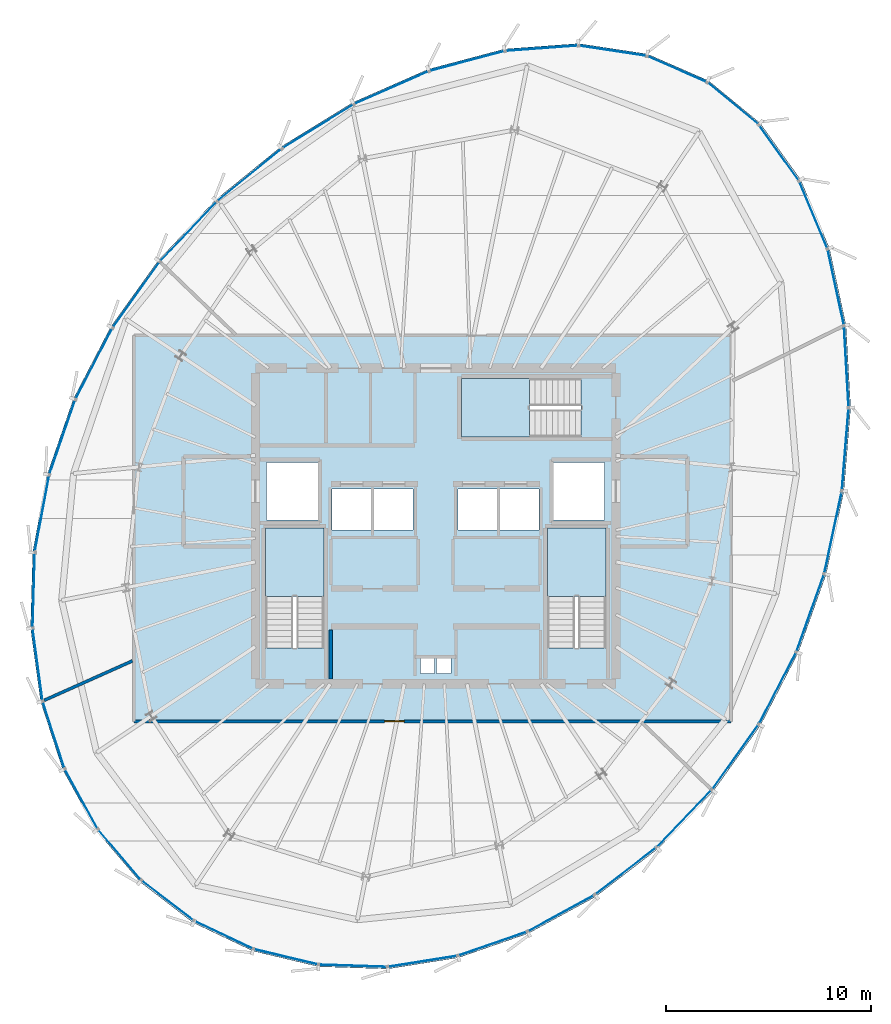
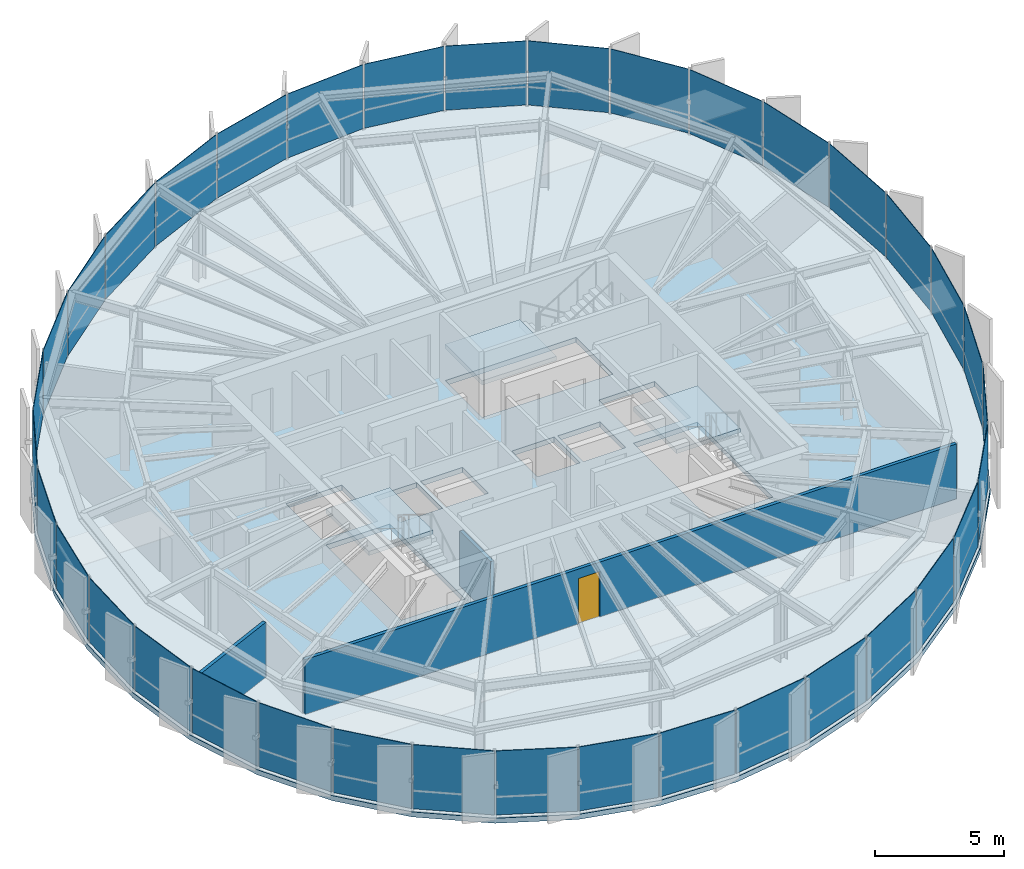
# One storey, part 24 of 31: 36 plates, 4 slabs, 3 walls, 1 door, 1 opening, 9 elements without a shape of their own.
"""IFC4 building model written with IfcOpenShell, lengths in metres."""

from ifc_helpers import new_model, si_unit, direction, frame, frame_2d, origin, origin_2d, place, context, subcontext, project, spatial, polyline, rectangle, outline, extrude, source, transform, mapped, material, layer, layer_set, type_object, element, fill, aggregate, save


model = new_model("IFC4")

# Units and contexts
model_context = context("Model", 3, precision=1e-05, world=origin(), true_north=direction((0.0, 1.0)))
body_context = subcontext(model_context, "Body", "Model", "MODEL_VIEW")
ifc_project = project(units=[si_unit("LENGTHUNIT", "METRE"), si_unit("AREAUNIT", "SQUARE_METRE"), si_unit("VOLUMEUNIT", "CUBIC_METRE"), si_unit("PLANEANGLEUNIT", "RADIAN"), si_unit("MASSUNIT", "GRAM", prefix="KILO"), si_unit("THERMODYNAMICTEMPERATUREUNIT", "KELVIN")], contexts=[model_context])

# Site, building, storey
site_placement = place(None, origin())
site = spatial("IfcSite", under=ifc_project, at=site_placement, CompositionType="ELEMENT")
building_placement = place(site_placement, origin())
building = spatial("IfcBuilding", under=site, at=building_placement, Name="Kethvar Cultural Tower", CompositionType="ELEMENT")
storey_placement = place(building_placement, frame((0.0, 0.0, 269.800048828125)))
storey = spatial("IfcBuildingStorey", under=building, at=storey_placement, Name="L71", CompositionType="ELEMENT", Elevation=269.800048828125)

# Stair, slab
ifc_material_1 = material(Name="Concrete C40/50", Category="concrete")
stair_type = type_object("IfcStairType", Name="ST-DOGLEG-135", PredefinedType="HALF_TURN_STAIR", material=ifc_material_1)
stair_1_placement = place(storey_placement, origin())
stair_1 = element("IfcStair", 1, at=stair_1_placement, inside=storey, type_object=stair_type, Name="L71 Core Exit Stair 1", PredefinedType="HALF_TURN_STAIR")
ifc_layer_1 = layer(ifc_material_1, 0.199951171875, Name="Concrete C40/50", Category="concrete")
ifc_layer_set_1 = layer_set([ifc_layer_1], Name="Concrete C40/50 (200 mm)")
slab_type_1 = type_object("IfcSlabType", Name="SL-STAIR-LANDING-200", PredefinedType="LANDING", material=ifc_layer_set_1)
slab_1_placement = place(storey_placement, frame((0.0, 0.0, 1.52490234375)))
slab_1 = element("IfcSlab", 2, at=slab_1_placement, type_object=slab_type_1, Name="ST-01 landing 1", PredefinedType="LANDING", context=body_context, shape_type="SweptSolid", body=[
    extrude(outline(polyline([(41.35009765625, 24.3701171875), (41.35009765625, 27.699951171875), (38.489990234375, 27.699951171875), (38.489990234375, 24.3701171875), (41.35009765625, 24.3701171875)])), origin(), (0.0, 0.0, 1.0), 0.199951171875),
])
aggregate(stair_1, [slab_1])

stair_2_placement = place(storey_placement, origin())
stair_2 = element("IfcStair", 3, at=stair_2_placement, inside=storey, type_object=stair_type, Name="L71 Core Exit Stair 2", PredefinedType="HALF_TURN_STAIR")
slab_2_placement = place(storey_placement, frame((0.0, 0.0, 1.52490234375)))
slab_2 = element("IfcSlab", 4, at=slab_2_placement, type_object=slab_type_1, Name="ST-02 landing 1", PredefinedType="LANDING", context=body_context, shape_type="SweptSolid", body=[
    extrude(outline(polyline([(55.110107421875, 24.3701171875), (55.110107421875, 27.699951171875), (52.25, 27.699951171875), (52.25, 24.3701171875), (55.110107421875, 24.3701171875)])), origin(), (0.0, 0.0, 1.0), 0.199951171875),
])
aggregate(stair_2, [slab_2])

stair_3_placement = place(storey_placement, origin())
stair_3 = element("IfcStair", 5, at=stair_3_placement, inside=storey, type_object=stair_type, Name="L71 Core Exit Stair 3", PredefinedType="HALF_TURN_STAIR")
slab_3_placement = place(storey_placement, frame((0.0, 0.0, 1.52490234375)))
slab_3 = element("IfcSlab", 6, at=slab_3_placement, type_object=slab_type_1, Name="ST-03 landing 1", PredefinedType="LANDING", context=body_context, shape_type="SweptSolid", body=[
    extrude(outline(polyline([(51.3798828125, 35.010009765625), (48.050048828125, 35.010009765625), (48.050048828125, 32.14990234375), (51.3798828125, 32.14990234375), (51.3798828125, 35.010009765625)])), origin(), (0.0, 0.0, 1.0), 0.199951171875),
])
aggregate(stair_3, [slab_3])

# Slab
ifc_layer_2 = layer(ifc_material_1, 0.239990234375, Name="Concrete C40/50", Category="concrete")
ifc_layer_set_2 = layer_set([ifc_layer_2], Name="Concrete C40/50 (240 mm)")
slab_type_2 = type_object("IfcSlabType", Name="SL-TOW-240", PredefinedType="FLOOR", material=ifc_layer_set_2)
slab_4_placement = place(storey_placement, frame((0.0, 0.0, -0.239990234375)))
element("IfcSlab", 7, at=slab_4_placement, inside=storey, type_object=slab_type_2, Name="L71 Structural Floor Slab", PredefinedType="FLOOR", context=body_context, shape_type="SweptSolid", body=[
    extrude(outline(polyline([(60.12255859375, 49.540283203125), (57.13232421875, 50.844970703125), (53.7705078125, 51.3544921875), (50.1591796875, 51.08740234375), (46.4384765625, 50.1005859375), (42.75439453125, 48.478271484375), (39.248779296875, 46.318115234375), (36.048095703125, 43.71826171875), (33.25390625, 40.764892578125), (30.93505859375, 37.522216796875), (29.11669921875, 34.013916015625), (27.835693359375, 30.316650390625), (27.130615234375, 26.543212890625), (27.0234375, 22.8076171875), (27.517333984375, 19.22412109375), (28.596923828125, 15.90087890625), (30.2294921875, 12.939453125), (32.36572265625, 10.42919921875), (34.9404296875, 8.447021484375), (37.87548828125, 7.052978515625), (41.081787109375, 6.2890625), (44.4619140625, 6.1787109375), (47.9130859375, 6.7255859375), (51.330078125, 7.91259765625), (54.60986328125, 9.703857421875), (57.652099609375, 12.045166015625), (60.364501953125, 14.864990234375), (62.6650390625, 18.077880859375), (64.501708984375, 21.6162109375), (65.864501953125, 25.446533203125), (66.727783203125, 29.47900390625), (67.06103515625, 33.5830078125), (66.834228515625, 37.60205078125), (66.024169921875, 41.365478515625), (64.622802734375, 44.7041015625), (62.642333984375, 47.468505859375), (60.12255859375, 49.540283203125)]), holes=[polyline([(38.489990234375, 21.85009765625), (38.489990234375, 27.699951171875), (41.35009765625, 27.699951171875), (41.35009765625, 21.85009765625), (38.489990234375, 21.85009765625)]), polyline([(52.25, 21.85009765625), (52.25, 27.699951171875), (55.110107421875, 27.699951171875), (55.110107421875, 21.85009765625), (52.25, 21.85009765625)]), polyline([(53.89990234375, 32.14990234375), (48.050048828125, 32.14990234375), (48.050048828125, 35.010009765625), (53.89990234375, 35.010009765625), (53.89990234375, 32.14990234375)]), polyline([(41.75, 29.60009765625), (43.64990234375, 29.60009765625), (43.64990234375, 27.60009765625), (41.75, 27.60009765625), (41.75, 29.60009765625)]), polyline([(43.800048828125, 29.60009765625), (45.699951171875, 29.60009765625), (45.699951171875, 27.60009765625), (43.800048828125, 27.60009765625), (43.800048828125, 29.60009765625)]), polyline([(47.89990234375, 29.60009765625), (49.800048828125, 29.60009765625), (49.800048828125, 27.60009765625), (47.89990234375, 27.60009765625), (47.89990234375, 29.60009765625)]), polyline([(49.949951171875, 29.60009765625), (51.85009765625, 29.60009765625), (51.85009765625, 27.60009765625), (49.949951171875, 27.60009765625), (49.949951171875, 29.60009765625)]), polyline([(38.550048828125, 30.89990234375), (41.050048828125, 30.89990234375), (41.050048828125, 28.10009765625), (38.550048828125, 28.10009765625), (38.550048828125, 30.89990234375)]), polyline([(52.550048828125, 30.89990234375), (55.050048828125, 30.89990234375), (55.050048828125, 28.10009765625), (52.550048828125, 28.10009765625), (52.550048828125, 30.89990234375)]), polyline([(46.050048828125, 21.35009765625), (46.75, 21.35009765625), (46.75, 20.60009765625), (46.050048828125, 20.60009765625), (46.050048828125, 21.35009765625)]), polyline([(46.85009765625, 21.35009765625), (47.550048828125, 21.35009765625), (47.550048828125, 20.60009765625), (46.85009765625, 20.60009765625), (46.85009765625, 21.35009765625)])]), origin(), (0.0, 0.0, 1.0), 0.239990234375),
])

# Curtain wall, plate
ifc_material_2 = material(Name="Aluminium 6063-T6", Category="aluminium")
ifc_layer_3 = layer(ifc_material_2, 0.179931640625, Name="Aluminium 6063-T6", Category="aluminium")
ifc_layer_set_3 = layer_set([ifc_layer_3], Name="Aluminium 6063-T6 (180 mm)")
curtain_wall_type = type_object("IfcCurtainWallType", Name="CW-SYS-05-Z56", PredefinedType="NOTDEFINED", material=ifc_layer_set_3)
curtain_wall_1_placement = place(storey_placement, origin())
curtain_wall_1 = element("IfcCurtainWall", 8, at=curtain_wall_1_placement, inside=storey, type_object=curtain_wall_type, Name="L71 Curtain Wall Run 01", PredefinedType="NOTDEFINED")
ifc_material_3 = material(Name="Insulated Low-E Solar Glass", Category="glass")
ifc_layer_4 = layer(ifc_material_3, 0.028076171875, Name="Insulated Low-E Solar Glass", Category="glass")
ifc_layer_set_4 = layer_set([ifc_layer_4], Name="Insulated Low-E Solar Glass (28 mm)")
plate_type = type_object("IfcPlateType", Name="CW-SYS-05-Z56-PNL", PredefinedType="CURTAIN_PANEL", material=ifc_layer_set_4)
shared_shape_1 = source(origin(), body_context, "Body", "SweptSolid", [
    extrude(rectangle(XDim=3.18310546875, YDim=0.028076171875, at=origin_2d()), origin(), (0.0, 0.0, 1.0), 3.030029296875),
])
plate_1_placement = place(storey_placement, frame((58.58740234375, 50.100830078125, 0.08984375), z_axis=(0.0, 0.0, 1.0), x_axis=(-0.916558267577, 0.399901165459, 0.0)))
plate_1 = element("IfcPlate", 9, at=plate_1_placement, type_object=plate_type, Name="CW-L71-R01 Vision Glazing Panel 1", PredefinedType="CURTAIN_PANEL", context=body_context, shape_type="MappedRepresentation", body=[
    mapped(shared_shape_1, transform((0.0, 0.0, 0.0), scale=1.0)),
])

curtain_wall_2_placement = place(storey_placement, origin())
curtain_wall_2 = element("IfcCurtainWall", 10, at=curtain_wall_2_placement, inside=storey, type_object=curtain_wall_type, Name="L71 Curtain Wall Run 06", PredefinedType="NOTDEFINED")
plate_2_placement = place(storey_placement, frame((61.31884765625, 48.427001953125, 0.08984375), z_axis=(0.0, 0.0, 1.0), x_axis=(-0.772412208548, 0.63512154749, 0.0)))
plate_2 = element("IfcPlate", 11, at=plate_2_placement, type_object=plate_type, Name="CW-L71-R06 Vision Glazing Panel 6", PredefinedType="CURTAIN_PANEL", context=body_context, shape_type="MappedRepresentation", body=[
    mapped(shared_shape_1, transform((0.0, 0.0, 0.0), scale=1.0)),
])

# Plate
shared_shape_2 = source(origin(), body_context, "Body", "SweptSolid", [
    extrude(rectangle(XDim=3.3212890625, YDim=0.028076171875, at=origin_2d()), origin(), (0.0, 0.0, 1.0), 3.030029296875),
])
plate_3_placement = place(storey_placement, frame((55.4365234375, 51.000732421875, 0.08984375), z_axis=(0.0, 0.0, 1.0), x_axis=(-0.988706738885, 0.149863219248, 0.0)))
plate_3 = element("IfcPlate", 12, at=plate_3_placement, type_object=plate_type, Name="CW-L71-R01 Vision Glazing Panel 2", PredefinedType="CURTAIN_PANEL", context=body_context, shape_type="MappedRepresentation", body=[
    mapped(shared_shape_2, transform((0.0, 0.0, 0.0), scale=1.0)),
])

plate_4_placement = place(storey_placement, frame((63.55126953125, 46.028076171875, 0.08984375), z_axis=(0.0, 0.0, 1.0), x_axis=(-0.582406760395, 0.812897512265, 0.0)))
plate_4 = element("IfcPlate", 13, at=plate_4_placement, type_object=plate_type, Name="CW-L71-R06 Vision Glazing Panel 5", PredefinedType="CURTAIN_PANEL", context=body_context, shape_type="MappedRepresentation", body=[
    mapped(shared_shape_2, transform((0.0, 0.0, 0.0), scale=1.0)),
])

shared_shape_3 = source(origin(), body_context, "Body", "SweptSolid", [
    extrude(rectangle(XDim=3.541748046875, YDim=0.028076171875, at=origin_2d()), origin(), (0.0, 0.0, 1.0), 3.030029296875),
])
plate_5_placement = place(storey_placement, frame((51.97216796875, 51.121337890625, 0.08984375), z_axis=(0.0, 0.0, 1.0), x_axis=(-0.997277280296, -0.073742973943, 0.0)))
plate_5 = element("IfcPlate", 14, at=plate_5_placement, type_object=plate_type, Name="CW-L71-R01 Vision Glazing Panel 3", PredefinedType="CURTAIN_PANEL", context=body_context, shape_type="MappedRepresentation", body=[
    mapped(shared_shape_3, transform((0.0, 0.0, 0.0), scale=1.0)),
])

shared_shape_4 = source(origin(), body_context, "Body", "SweptSolid", [
    extrude(rectangle(XDim=3.770263671875, YDim=0.028076171875, at=origin_2d()), origin(), (0.0, 0.0, 1.0), 3.030029296875),
])
plate_6_placement = place(storey_placement, frame((48.324462890625, 50.497314453125, 0.08984375), z_axis=(0.0, 0.0, 1.0), x_axis=(-0.966577732869, -0.256373723929, 0.0)))
plate_6 = element("IfcPlate", 15, at=plate_6_placement, type_object=plate_type, Name="CW-L71-R01 Vision Glazing Panel 4", PredefinedType="CURTAIN_PANEL", context=body_context, shape_type="MappedRepresentation", body=[
    mapped(shared_shape_4, transform((0.0, 0.0, 0.0), scale=1.0)),
])

plate_7_placement = place(storey_placement, frame((66.331298828125, 39.462646484375, 0.08984375), z_axis=(0.0, 0.0, 1.0), x_axis=(-0.21042057252, 0.9776109567, 0.0)))
plate_7 = element("IfcPlate", 16, at=plate_7_placement, type_object=plate_type, Name="CW-L71-R06 Vision Glazing Panel 3", PredefinedType="CURTAIN_PANEL", context=body_context, shape_type="MappedRepresentation", body=[
    mapped(shared_shape_4, transform((0.0, 0.0, 0.0), scale=1.0)),
])

shared_shape_5 = source(origin(), body_context, "Body", "SweptSolid", [
    extrude(rectangle(XDim=3.9462890625, YDim=0.028076171875, at=origin_2d()), origin(), (0.0, 0.0, 1.0), 3.030029296875),
])
plate_8_placement = place(storey_placement, frame((44.63671875, 49.197998046875, 0.08984375), z_axis=(0.0, 0.0, 1.0), x_axis=(-0.915184907349, -0.403034223561, 0.0)))
plate_8 = element("IfcPlate", 17, at=plate_8_placement, type_object=plate_type, Name="CW-L71-R01 Vision Glazing Panel 5", PredefinedType="CURTAIN_PANEL", context=body_context, shape_type="MappedRepresentation", body=[
    mapped(shared_shape_5, transform((0.0, 0.0, 0.0), scale=1.0)),
])

plate_9_placement = place(storey_placement, frame((66.847900390625, 35.5869140625, 0.08984375), z_axis=(0.0, 0.0, 1.0), x_axis=(-0.056361705237, 0.998410415702, 0.0)))
plate_9 = element("IfcPlate", 18, at=plate_9_placement, type_object=plate_type, Name="CW-L71-R06 Vision Glazing Panel 2", PredefinedType="CURTAIN_PANEL", context=body_context, shape_type="MappedRepresentation", body=[
    mapped(shared_shape_5, transform((0.0, 0.0, 0.0), scale=1.0)),
])

shared_shape_6 = source(origin(), body_context, "Body", "SweptSolid", [
    extrude(rectangle(XDim=4.038330078125, YDim=0.028076171875, at=origin_2d()), origin(), (0.0, 0.0, 1.0), 3.030029296875),
])
plate_10_placement = place(storey_placement, frame((41.05419921875, 47.31298828125, 0.08984375), z_axis=(0.0, 0.0, 1.0), x_axis=(-0.851351759656, -0.524595254774, 0.0)))
plate_10 = element("IfcPlate", 19, at=plate_10_placement, type_object=plate_type, Name="CW-L71-R01 Vision Glazing Panel 6", PredefinedType="CURTAIN_PANEL", context=body_context, shape_type="MappedRepresentation", body=[
    mapped(shared_shape_6, transform((0.0, 0.0, 0.0), scale=1.0)),
])

aggregate(curtain_wall_1, [plate_1, plate_3, plate_5, plate_6, plate_8, plate_10])

plate_11_placement = place(storey_placement, frame((66.794921875, 31.5390625, 0.08984375), z_axis=(0.0, 0.0, 1.0), x_axis=(0.080912183742, 0.996721234108, 0.0)))
plate_11 = element("IfcPlate", 20, at=plate_11_placement, type_object=plate_type, Name="CW-L71-R06 Vision Glazing Panel 1", PredefinedType="CURTAIN_PANEL", context=body_context, shape_type="MappedRepresentation", body=[
    mapped(shared_shape_6, transform((0.0, 0.0, 0.0), scale=1.0)),
])

# Curtain wall, plate
curtain_wall_3_placement = place(storey_placement, origin())
curtain_wall_3 = element("IfcCurtainWall", 21, at=curtain_wall_3_placement, inside=storey, type_object=curtain_wall_type, Name="L71 Curtain Wall Run 02", PredefinedType="NOTDEFINED")
shared_shape_7 = source(origin(), body_context, "Body", "SweptSolid", [
    extrude(rectangle(XDim=4.04443359375, YDim=0.028076171875, at=origin_2d()), origin(), (0.0, 0.0, 1.0), 3.030029296875),
])
plate_12_placement = place(storey_placement, frame((37.71142578125, 44.9404296875, 0.08984375), z_axis=(0.0, 0.0, 1.0), x_axis=(-0.776200487069, -0.630486164697, 0.0)))
plate_12 = element("IfcPlate", 22, at=plate_12_placement, type_object=plate_type, Name="CW-L71-R02 Vision Glazing Panel 1", PredefinedType="CURTAIN_PANEL", context=body_context, shape_type="MappedRepresentation", body=[
    mapped(shared_shape_7, transform((0.0, 0.0, 0.0), scale=1.0)),
])

curtain_wall_4_placement = place(storey_placement, origin())
curtain_wall_4 = element("IfcCurtainWall", 23, at=curtain_wall_4_placement, inside=storey, type_object=curtain_wall_type, Name="L71 Curtain Wall Run 05", PredefinedType="NOTDEFINED")
plate_13_placement = place(storey_placement, frame((66.198486328125, 27.483642578125, 0.08984375), z_axis=(0.0, 0.0, 1.0), x_axis=(0.209379639133, 0.977834427046, 0.0)))
plate_13 = element("IfcPlate", 24, at=plate_13_placement, type_object=plate_type, Name="CW-L71-R05 Vision Glazing Panel 6", PredefinedType="CURTAIN_PANEL", context=body_context, shape_type="MappedRepresentation", body=[
    mapped(shared_shape_7, transform((0.0, 0.0, 0.0), scale=1.0)),
])

# Plate
shared_shape_8 = source(origin(), body_context, "Body", "SweptSolid", [
    extrude(rectangle(XDim=3.986328125, YDim=0.028076171875, at=origin_2d()), origin(), (0.0, 0.0, 1.0), 3.030029296875),
])
plate_14_placement = place(storey_placement, frame((34.7236328125, 42.1728515625, 0.08984375), z_axis=(0.0, 0.0, 1.0), x_axis=(-0.68727770406, -0.726394766984, 0.0)))
plate_14 = element("IfcPlate", 25, at=plate_14_placement, type_object=plate_type, Name="CW-L71-R02 Vision Glazing Panel 2", PredefinedType="CURTAIN_PANEL", context=body_context, shape_type="MappedRepresentation", body=[
    mapped(shared_shape_8, transform((0.0, 0.0, 0.0), scale=1.0)),
])

plate_15_placement = place(storey_placement, frame((65.089111328125, 23.56494140625, 0.08984375), z_axis=(0.0, 0.0, 1.0), x_axis=(0.335172040916, 0.942156941803, 0.0)))
plate_15 = element("IfcPlate", 26, at=plate_15_placement, type_object=plate_type, Name="CW-L71-R05 Vision Glazing Panel 5", PredefinedType="CURTAIN_PANEL", context=body_context, shape_type="MappedRepresentation", body=[
    mapped(shared_shape_8, transform((0.0, 0.0, 0.0), scale=1.0)),
])

shared_shape_9 = source(origin(), body_context, "Body", "SweptSolid", [
    extrude(rectangle(XDim=3.907470703125, YDim=0.028076171875, at=origin_2d()), origin(), (0.0, 0.0, 1.0), 3.030029296875),
])
plate_16_placement = place(storey_placement, frame((32.17578125, 39.085205078125, 0.08984375), z_axis=(0.0, 0.0, 1.0), x_axis=(-0.581640363987, -0.813446056589, 0.0)))
plate_16 = element("IfcPlate", 27, at=plate_16_placement, type_object=plate_type, Name="CW-L71-R02 Vision Glazing Panel 3", PredefinedType="CURTAIN_PANEL", context=body_context, shape_type="MappedRepresentation", body=[
    mapped(shared_shape_9, transform((0.0, 0.0, 0.0), scale=1.0)),
])

plate_17_placement = place(storey_placement, frame((63.49462890625, 19.89306640625, 0.08984375), z_axis=(0.0, 0.0, 1.0), x_axis=(0.460742034444, 0.887534099456, 0.0)))
plate_17 = element("IfcPlate", 28, at=plate_17_placement, type_object=plate_type, Name="CW-L71-R05 Vision Glazing Panel 4", PredefinedType="CURTAIN_PANEL", context=body_context, shape_type="MappedRepresentation", body=[
    mapped(shared_shape_9, transform((0.0, 0.0, 0.0), scale=1.0)),
])

shared_shape_10 = source(origin(), body_context, "Body", "SweptSolid", [
    extrude(rectangle(XDim=3.872314453125, YDim=0.028076171875, at=origin_2d()), origin(), (0.0, 0.0, 1.0), 3.030029296875),
])
plate_18_placement = place(storey_placement, frame((30.114501953125, 35.721923828125, 0.08984375), z_axis=(0.0, 0.0, 1.0), x_axis=(-0.4601687939, -0.887831448598, 0.0)))
plate_18 = element("IfcPlate", 29, at=plate_18_placement, type_object=plate_type, Name="CW-L71-R02 Vision Glazing Panel 4", PredefinedType="CURTAIN_PANEL", context=body_context, shape_type="MappedRepresentation", body=[
    mapped(shared_shape_10, transform((0.0, 0.0, 0.0), scale=1.0)),
])

plate_19_placement = place(storey_placement, frame((61.43359375, 16.52978515625, 0.08984375), z_axis=(0.0, 0.0, 1.0), x_axis=(0.582151352373, 0.813080440627, 0.0)))
plate_19 = element("IfcPlate", 30, at=plate_19_placement, type_object=plate_type, Name="CW-L71-R05 Vision Glazing Panel 3", PredefinedType="CURTAIN_PANEL", context=body_context, shape_type="MappedRepresentation", body=[
    mapped(shared_shape_10, transform((0.0, 0.0, 0.0), scale=1.0)),
])

shared_shape_11 = source(origin(), body_context, "Body", "SweptSolid", [
    extrude(rectangle(XDim=3.83349609375, YDim=0.028076171875, at=origin_2d()), origin(), (0.0, 0.0, 1.0), 3.030029296875),
])
plate_20_placement = place(storey_placement, frame((28.570556640625, 32.132568359375, 0.08984375), z_axis=(0.0, 0.0, 1.0), x_axis=(-0.327399310115, -0.944886073416, 0.0)))
plate_20 = element("IfcPlate", 31, at=plate_20_placement, type_object=plate_type, Name="CW-L71-R02 Vision Glazing Panel 5", PredefinedType="CURTAIN_PANEL", context=body_context, shape_type="MappedRepresentation", body=[
    mapped(shared_shape_11, transform((0.0, 0.0, 0.0), scale=1.0)),
])

plate_21_placement = place(storey_placement, frame((58.936279296875, 13.5244140625, 0.08984375), z_axis=(0.0, 0.0, 1.0), x_axis=(0.693250901197, 0.720696321615, 0.0)))
plate_21 = element("IfcPlate", 32, at=plate_21_placement, type_object=plate_type, Name="CW-L71-R05 Vision Glazing Panel 2", PredefinedType="CURTAIN_PANEL", context=body_context, shape_type="MappedRepresentation", body=[
    mapped(shared_shape_11, transform((0.0, 0.0, 0.0), scale=1.0)),
])

shared_shape_12 = source(origin(), body_context, "Body", "SweptSolid", [
    extrude(rectangle(XDim=3.759521484375, YDim=0.028076171875, at=origin_2d()), origin(), (0.0, 0.0, 1.0), 3.030029296875),
])
plate_22_placement = place(storey_placement, frame((27.58154296875, 28.41162109375, 0.08984375), z_axis=(0.0, 0.0, 1.0), x_axis=(-0.183625386799, -0.982996295681, 0.0)))
plate_22 = element("IfcPlate", 33, at=plate_22_placement, type_object=plate_type, Name="CW-L71-R02 Vision Glazing Panel 6", PredefinedType="CURTAIN_PANEL", context=body_context, shape_type="MappedRepresentation", body=[
    mapped(shared_shape_12, transform((0.0, 0.0, 0.0), scale=1.0)),
])

aggregate(curtain_wall_3, [plate_12, plate_14, plate_16, plate_18, plate_20, plate_22])

plate_23_placement = place(storey_placement, frame((56.06982421875, 10.95361328125, 0.08984375), z_axis=(0.0, 0.0, 1.0), x_axis=(0.792502575922, 0.609868565477, 0.0)))
plate_23 = element("IfcPlate", 34, at=plate_23_placement, type_object=plate_type, Name="CW-L71-R05 Vision Glazing Panel 1", PredefinedType="CURTAIN_PANEL", context=body_context, shape_type="MappedRepresentation", body=[
    mapped(shared_shape_12, transform((0.0, 0.0, 0.0), scale=1.0)),
])

aggregate(curtain_wall_4, [plate_23, plate_21, plate_19, plate_17, plate_15, plate_13])

# Curtain wall, plate
curtain_wall_5_placement = place(storey_placement, origin())
curtain_wall_5 = element("IfcCurtainWall", 35, at=curtain_wall_5_placement, inside=storey, type_object=curtain_wall_type, Name="L71 Curtain Wall Run 03", PredefinedType="NOTDEFINED")
shared_shape_13 = source(origin(), body_context, "Body", "SweptSolid", [
    extrude(rectangle(XDim=3.65771484375, YDim=0.028076171875, at=origin_2d()), origin(), (0.0, 0.0, 1.0), 3.030029296875),
])
plate_24_placement = place(storey_placement, frame((27.177001953125, 24.672607421875, 0.08984375), z_axis=(0.0, 0.0, 1.0), x_axis=(-0.028689275876, -0.999588378009, 0.0)))
plate_24 = element("IfcPlate", 36, at=plate_24_placement, type_object=plate_type, Name="CW-L71-R03 Vision Glazing Panel 1", PredefinedType="CURTAIN_PANEL", context=body_context, shape_type="MappedRepresentation", body=[
    mapped(shared_shape_13, transform((0.0, 0.0, 0.0), scale=1.0)),
])

curtain_wall_6_placement = place(storey_placement, origin())
curtain_wall_6 = element("IfcCurtainWall", 37, at=curtain_wall_6_placement, inside=storey, type_object=curtain_wall_type, Name="L71 Curtain Wall Run 04", PredefinedType="NOTDEFINED")
plate_25_placement = place(storey_placement, frame((52.922119140625, 8.89599609375, 0.08984375), z_axis=(0.0, 0.0, 1.0), x_axis=(0.877623473997, 0.479350641899, 0.0)))
plate_25 = element("IfcPlate", 38, at=plate_25_placement, type_object=plate_type, Name="CW-L71-R04 Vision Glazing Panel 6", PredefinedType="CURTAIN_PANEL", context=body_context, shape_type="MappedRepresentation", body=[
    mapped(shared_shape_13, transform((0.0, 0.0, 0.0), scale=1.0)),
])

# Plate
shared_shape_14 = source(origin(), body_context, "Body", "SweptSolid", [
    extrude(rectangle(XDim=3.5380859375, YDim=0.028076171875, at=origin_2d()), origin(), (0.0, 0.0, 1.0), 3.030029296875),
])
plate_26_placement = place(storey_placement, frame((27.369384765625, 21.029541015625, 0.08984375), z_axis=(0.0, 0.0, 1.0), x_axis=(0.136510951956, -0.990638561735, 0.0)))
plate_26 = element("IfcPlate", 39, at=plate_26_placement, type_object=plate_type, Name="CW-L71-R03 Vision Glazing Panel 2", PredefinedType="CURTAIN_PANEL", context=body_context, shape_type="MappedRepresentation", body=[
    mapped(shared_shape_14, transform((0.0, 0.0, 0.0), scale=1.0)),
])

shared_shape_15 = source(origin(), body_context, "Body", "SweptSolid", [
    extrude(rectangle(XDim=3.414794921875, YDim=0.028076171875, at=origin_2d()), origin(), (0.0, 0.0, 1.0), 3.030029296875),
])
plate_27_placement = place(storey_placement, frame((28.152099609375, 17.593505859375, 0.08984375), z_axis=(0.0, 0.0, 1.0), x_axis=(0.308967196749, -0.951072695083, 0.0)))
plate_27 = element("IfcPlate", 40, at=plate_27_placement, type_object=plate_type, Name="CW-L71-R03 Vision Glazing Panel 3", PredefinedType="CURTAIN_PANEL", context=body_context, shape_type="MappedRepresentation", body=[
    mapped(shared_shape_15, transform((0.0, 0.0, 0.0), scale=1.0)),
])

plate_28_placement = place(storey_placement, frame((46.171875, 6.551025390625, 0.08984375), z_axis=(0.0, 0.0, 1.0), x_axis=(0.987680148352, 0.156486180066, 0.0)))
plate_28 = element("IfcPlate", 41, at=plate_28_placement, type_object=plate_type, Name="CW-L71-R04 Vision Glazing Panel 4", PredefinedType="CURTAIN_PANEL", context=body_context, shape_type="MappedRepresentation", body=[
    mapped(shared_shape_15, transform((0.0, 0.0, 0.0), scale=1.0)),
])

shared_shape_16 = source(origin(), body_context, "Body", "SweptSolid", [
    extrude(rectangle(XDim=3.302490234375, YDim=0.028076171875, at=origin_2d()), origin(), (0.0, 0.0, 1.0), 3.030029296875),
])
plate_29_placement = place(storey_placement, frame((29.500732421875, 14.468505859375, 0.08984375), z_axis=(0.0, 0.0, 1.0), x_axis=(0.482793356274, -0.875734306247, 0.0)))
plate_29 = element("IfcPlate", 42, at=plate_29_placement, type_object=plate_type, Name="CW-L71-R03 Vision Glazing Panel 4", PredefinedType="CURTAIN_PANEL", context=body_context, shape_type="MappedRepresentation", body=[
    mapped(shared_shape_16, transform((0.0, 0.0, 0.0), scale=1.0)),
])

shared_shape_17 = source(origin(), body_context, "Body", "SweptSolid", [
    extrude(rectangle(XDim=3.216796875, YDim=0.028076171875, at=origin_2d()), origin(), (0.0, 0.0, 1.0), 3.030029296875),
])
plate_30_placement = place(storey_placement, frame((31.373779296875, 11.749267578125, 0.08984375), z_axis=(0.0, 0.0, 1.0), x_axis=(0.648106609614, -0.761549619247, 0.0)))
plate_30 = element("IfcPlate", 43, at=plate_30_placement, type_object=plate_type, Name="CW-L71-R03 Vision Glazing Panel 5", PredefinedType="CURTAIN_PANEL", context=body_context, shape_type="MappedRepresentation", body=[
    mapped(shared_shape_17, transform((0.0, 0.0, 0.0), scale=1.0)),
])

plate_31_placement = place(storey_placement, frame((39.501953125, 6.768310546875, 0.08984375), z_axis=(0.0, 0.0, 1.0), x_axis=(0.972771833297, -0.231764881601, 0.0)))
plate_31 = element("IfcPlate", 44, at=plate_31_placement, type_object=plate_type, Name="CW-L71-R04 Vision Glazing Panel 2", PredefinedType="CURTAIN_PANEL", context=body_context, shape_type="MappedRepresentation", body=[
    mapped(shared_shape_17, transform((0.0, 0.0, 0.0), scale=1.0)),
])

shared_shape_18 = source(origin(), body_context, "Body", "SweptSolid", [
    extrude(rectangle(XDim=3.170166015625, YDim=0.028076171875, at=origin_2d()), origin(), (0.0, 0.0, 1.0), 3.030029296875),
])
plate_32_placement = place(storey_placement, frame((33.714111328125, 9.517578125, 0.08984375), z_axis=(0.0, 0.0, 1.0), x_axis=(0.792374827968, -0.610034533451, 0.0)))
plate_32 = element("IfcPlate", 45, at=plate_32_placement, type_object=plate_type, Name="CW-L71-R03 Vision Glazing Panel 6", PredefinedType="CURTAIN_PANEL", context=body_context, shape_type="MappedRepresentation", body=[
    mapped(shared_shape_18, transform((0.0, 0.0, 0.0), scale=1.0)),
])

aggregate(curtain_wall_5, [plate_24, plate_26, plate_27, plate_29, plate_30, plate_32])

plate_33_placement = place(storey_placement, frame((36.450927734375, 7.84033203125, 0.08984375), z_axis=(0.0, 0.0, 1.0), x_axis=(0.903275393415, -0.429061258622, 0.0)))
plate_33 = element("IfcPlate", 46, at=plate_33_placement, type_object=plate_type, Name="CW-L71-R04 Vision Glazing Panel 1", PredefinedType="CURTAIN_PANEL", context=body_context, shape_type="MappedRepresentation", body=[
    mapped(shared_shape_18, transform((0.0, 0.0, 0.0), scale=1.0)),
])

shared_shape_19 = source(origin(), body_context, "Body", "SweptSolid", [
    extrude(rectangle(XDim=3.302734375, YDim=0.028076171875, at=origin_2d()), origin(), (0.0, 0.0, 1.0), 3.030029296875),
])
plate_34_placement = place(storey_placement, frame((42.775146484375, 6.333740234375, 0.08984375), z_axis=(0.0, 0.0, 1.0), x_axis=(0.99946914618, -0.032579530921, 0.0)))
plate_34 = element("IfcPlate", 47, at=plate_34_placement, type_object=plate_type, Name="CW-L71-R04 Vision Glazing Panel 3", PredefinedType="CURTAIN_PANEL", context=body_context, shape_type="MappedRepresentation", body=[
    mapped(shared_shape_19, transform((0.0, 0.0, 0.0), scale=1.0)),
])

shared_shape_20 = source(origin(), body_context, "Body", "SweptSolid", [
    extrude(rectangle(XDim=3.538330078125, YDim=0.028076171875, at=origin_2d()), origin(), (0.0, 0.0, 1.0), 3.030029296875),
])
plate_35_placement = place(storey_placement, frame((49.5888671875, 7.41357421875, 0.08984375), z_axis=(0.0, 0.0, 1.0), x_axis=(0.944634370202, 0.328124833917, 0.0)))
plate_35 = element("IfcPlate", 48, at=plate_35_placement, type_object=plate_type, Name="CW-L71-R04 Vision Glazing Panel 5", PredefinedType="CURTAIN_PANEL", context=body_context, shape_type="MappedRepresentation", body=[
    mapped(shared_shape_20, transform((0.0, 0.0, 0.0), scale=1.0)),
])

aggregate(curtain_wall_6, [plate_33, plate_31, plate_34, plate_28, plate_35, plate_25])

shared_shape_21 = source(origin(), body_context, "Body", "SweptSolid", [
    extrude(rectangle(XDim=3.5419921875, YDim=0.028076171875, at=origin_2d()), origin(), (0.0, 0.0, 1.0), 3.030029296875),
])
plate_36_placement = place(storey_placement, frame((65.231201171875, 42.99609375, 0.08984375), z_axis=(0.0, 0.0, 1.0), x_axis=(-0.387048939964, 0.922059172761, 0.0)))
plate_36 = element("IfcPlate", 49, at=plate_36_placement, type_object=plate_type, Name="CW-L71-R06 Vision Glazing Panel 4", PredefinedType="CURTAIN_PANEL", context=body_context, shape_type="MappedRepresentation", body=[
    mapped(shared_shape_21, transform((0.0, 0.0, 0.0), scale=1.0)),
])

aggregate(curtain_wall_2, [plate_11, plate_9, plate_7, plate_36, plate_4, plate_2])

# Wall
ifc_material_4 = material(Name="Gypsum Fireboard Partition")
ifc_layer_5 = layer(ifc_material_4, 0.14990234375, Name="Gypsum Fireboard Partition")
ifc_layer_set_5 = layer_set([ifc_layer_5], Name="Gypsum Fireboard Partition (150 mm)")
wall_type_1 = type_object("IfcWallType", Name="WL-FIRE-150", PredefinedType="PARTITIONING", material=ifc_layer_set_5)
wall_1_placement = place(storey_placement, frame((41.679931640625, 20.3349609375, 0.0), z_axis=(0.0, 0.0, 1.0), x_axis=(0.0, 1.0, 0.0)))
element("IfcWall", 50, at=wall_1_placement, inside=storey, type_object=wall_type_1, Name="L71 Reclaimed West Outer Wall", PredefinedType="PARTITIONING", context=body_context, shape_type="SweptSolid", body=[
    extrude(rectangle(XDim=2.39501953125, YDim=0.14990234375, at=frame_2d((1.197509765625, 0.0))), origin(), (0.0, 0.0, 1.0), 2.594970703125),
])

# Wall, opening, door
wall_2_placement = place(storey_placement, frame((32.070068359375, 18.26904296875, 0.0), z_axis=(0.0, 0.0, 1.0), x_axis=(1.0, 0.0, 0.0)))
wall_2 = element("IfcWall", 51, at=wall_2_placement, inside=storey, type_object=wall_type_1, Name="L71 Corridor Rated Wall S", PredefinedType="PARTITIONING", context=body_context, shape_type="SweptSolid", body=[
    extrude(rectangle(XDim=29.156005859375, YDim=0.14990234375, at=frame_2d((14.578125, 0.0))), origin(), (0.0, 0.0, 1.0), 2.594970703125),
])
opening_placement = place(wall_2_placement, frame((12.240234375, 0.0, 0.0)))
opening = element("IfcOpeningElement", 52, at=opening_placement, cuts=wall_2, Name="Opening D-L71-01", PredefinedType="OPENING", context=body_context, shape_type="SweptSolid", body=[
    extrude(rectangle(XDim=0.949951171875, YDim=2.14990234375, at=frame_2d((0.47509765625, 1.074951171875))), frame((0.0, 0.0849609375, 0.0), z_axis=(0.0, -1.0, 0.0), x_axis=(1.0, 0.0, 0.0)), (0.0, 0.0, 1.0), 0.169921875),
])
ifc_material_5 = material(Name="Architectural Oak Timber", Category="wood")
door_type = type_object("IfcDoorType", Name="DR-FD30-950", OperationType="NOTDEFINED", PredefinedType="DOOR", material=ifc_material_5)
shared_shape_22 = source(origin(), body_context, "Body", "SweptSolid", [
    extrude(rectangle(XDim=0.949951171875, YDim=2.14990234375, at=frame_2d((0.47509765625, 1.074951171875))), frame((0.0, 0.02490234375, 0.0), z_axis=(0.0, -1.0, 0.0), x_axis=(1.0, 0.0, 0.0)), (0.0, 0.0, 1.0), 0.050048828125),
])
door_placement = place(opening_placement, origin())
door = element("IfcDoor", 53, at=door_placement, inside=storey, type_object=door_type, Name="L71 Curatorial Research Office 01 Door", OperationType="SINGLE_SWING_RIGHT", OverallHeight=2.14990234375, OverallWidth=0.949951171875, PredefinedType="DOOR", context=body_context, shape_type="MappedRepresentation", body=[
    mapped(shared_shape_22, transform((0.0, 0.0, 0.0), scale=1.0)),
])
fill(opening, door)

# Wall
ifc_material_6 = material(Name="Gypsum Acoustic Partition")
ifc_layer_6 = layer(ifc_material_6, 0.14990234375, Name="Gypsum Acoustic Partition")
ifc_layer_set_6 = layer_set([ifc_layer_6], Name="Gypsum Acoustic Partition (150 mm)")
wall_type_2 = type_object("IfcWallType", Name="WL-PART-150", PredefinedType="PARTITIONING", material=ifc_layer_set_6)
wall_3_placement = place(storey_placement, frame((31.9970703125, 21.21630859375, 0.0), z_axis=(0.0, 0.0, 1.0), x_axis=(-0.912837051259, -0.408324035356, 0.0)))
element("IfcWall", 54, at=wall_3_placement, inside=storey, type_object=wall_type_2, Name="L71 Radial Partition Wall 01", PredefinedType="PARTITIONING", context=body_context, shape_type="SweptSolid", body=[
    extrude(rectangle(XDim=4.71337890625, YDim=0.14990234375, at=frame_2d((2.356689453125, 0.0))), origin(), (0.0, 0.0, 1.0), 2.594970703125),
])

save(model, "model.ifc")
